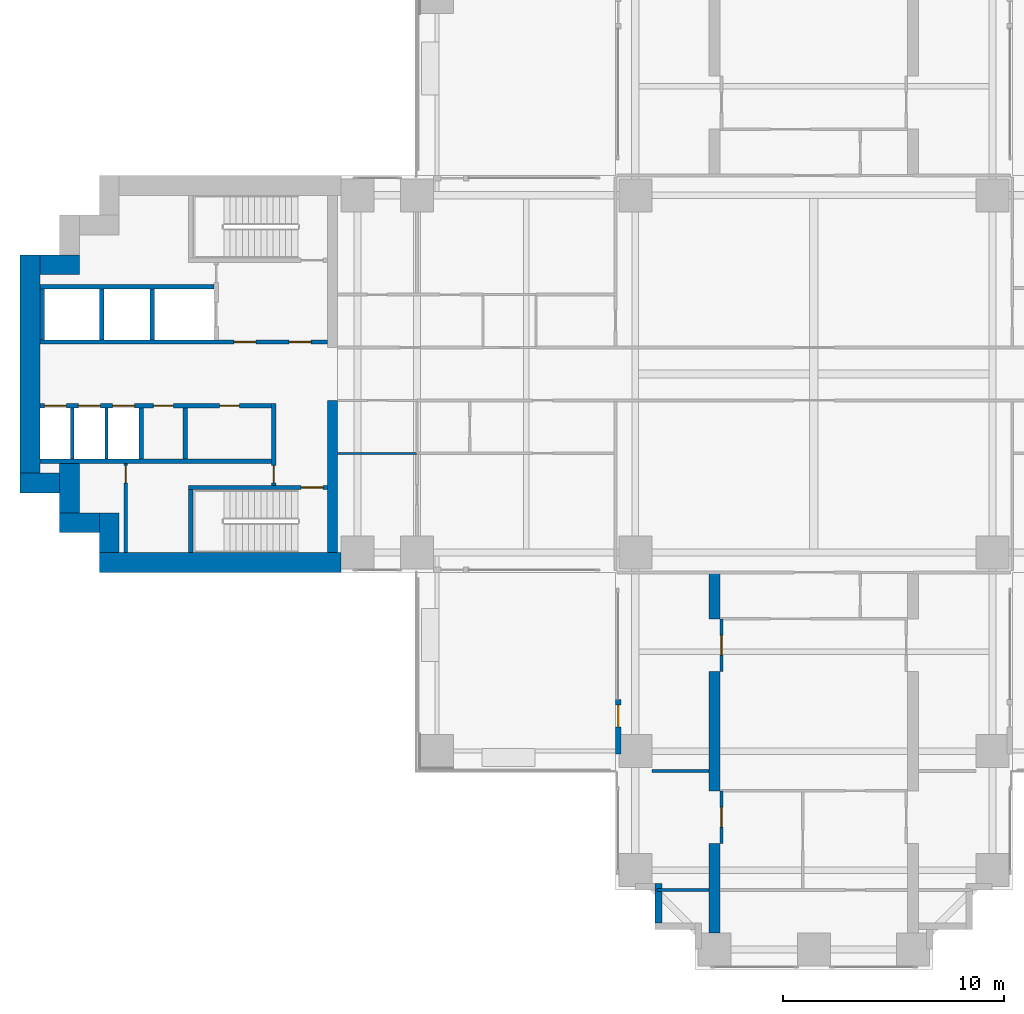
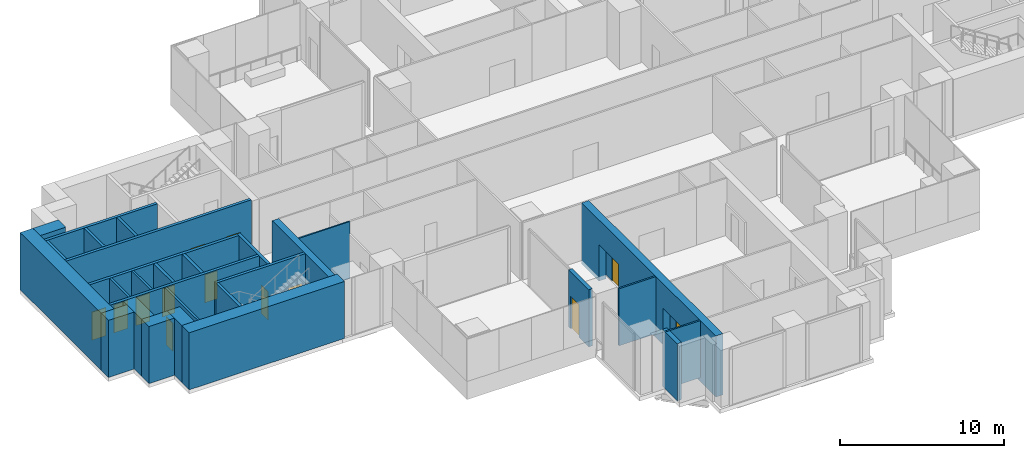
# One storey, part 7 of 15: 31 walls, 13 doors, 13 openings.
"""IFC4 building model written with IfcOpenShell, lengths in metres."""

from ifc_helpers import new_model, si_unit, direction, frame, frame_2d, origin, place, context, subcontext, project, spatial, polyline, rectangle, outline, extrude, material, layer, layer_set, material_profile, profile_set, type_object, element, fill, save


model = new_model("IFC4")

# Units and contexts
model_context = context("Model", 3, precision=1e-05, world=origin(), true_north=direction((0.0, 1.0)))
body_context = subcontext(model_context, "Body", "Model", "MODEL_VIEW")
ifc_project = project(units=[si_unit("LENGTHUNIT", "METRE"), si_unit("AREAUNIT", "SQUARE_METRE"), si_unit("VOLUMEUNIT", "CUBIC_METRE"), si_unit("PLANEANGLEUNIT", "RADIAN"), si_unit("MASSUNIT", "GRAM", prefix="KILO")], contexts=[model_context])

# Site, building, storey
site_placement = place(None, origin())
site = spatial("IfcSite", under=ifc_project, at=site_placement, CompositionType="ELEMENT")
building_placement = place(site_placement, origin())
building = spatial("IfcBuilding", under=site, at=building_placement, Name="Perihelion Cross Residences", CompositionType="ELEMENT")
storey_placement = place(building_placement, frame((0.0, 0.0, 32.0)))
storey = spatial("IfcBuildingStorey", under=building, at=storey_placement, Name="L04", CompositionType="ELEMENT", Elevation=32.0)

# Wall, opening, door
ifc_material_1 = material(Name="Concrete C30/37, bronze-clad", Category="concrete")
ifc_layer_1 = layer(ifc_material_1, 0.25)
ifc_layer_set_1 = layer_set([ifc_layer_1], Name="Bronze-clad pier wall 250")
wall_type_1 = type_object("IfcWallType", Name="Bronze-clad pier wall 250", PredefinedType="SOLIDWALL", material=ifc_layer_set_1)
wall_1_placement = place(storey_placement, frame((-8.875, -14.75, 0.0), z_axis=(0.0, 0.0, 1.0), x_axis=(0.0, -1.0, 0.0)))
wall_1 = element("IfcWall", 1, at=wall_1_placement, inside=storey, type_object=wall_type_1, Name="Wall FW1 L04 south side west bay 1 pier", PredefinedType="SOLIDWALL", context=body_context, shape_type="SweptSolid", body=[
    extrude(rectangle(XDim=2.47998046875, YDim=0.25, at=frame_2d((1.239990234375, 0.0))), origin(), (0.0, 0.0, 1.0), 4.25),
])
opening_1_placement = place(wall_1_placement, frame((0.25, 0.0, 0.0)))
opening_1 = element("IfcOpeningElement", 2, at=opening_1_placement, cuts=wall_1, Name="Opening L04.E06", PredefinedType="OPENING", context=body_context, shape_type="SweptSolid", body=[
    extrude(rectangle(XDim=1.0, YDim=2.39990234375, at=frame_2d((0.5, 1.199951171875))), frame((0.0, 0.135009765625, 0.0), z_axis=(0.0, -1.0, 0.0), x_axis=(1.0, 0.0, 0.0)), (0.0, 0.0, 1.0), 0.27001953125),
])
ifc_material_2 = material(Name="Bronze anodised aluminium, glazed", Category="aluminium")
door_type_1 = type_object("IfcDoorType", Name="Balcony door 1000 x 2400", OperationType="NOTDEFINED", PredefinedType="DOOR", material=ifc_material_2)
door_1_placement = place(opening_1_placement, origin())
door_1 = element("IfcDoor", 3, at=door_1_placement, inside=storey, type_object=door_type_1, Name="Door L04.E06 south side west bay 1", OperationType="SINGLE_SWING_LEFT", OverallHeight=2.39990234375, OverallWidth=1.0, PredefinedType="DOOR", context=body_context, shape_type="SweptSolid", body=[
    extrude(rectangle(XDim=1.0, YDim=2.39990234375, at=frame_2d((0.5, 1.199951171875))), frame((0.0, 0.02490234375, 0.0), z_axis=(0.0, -1.0, 0.0), x_axis=(1.0, 0.0, 0.0)), (0.0, 0.0, 1.0), 0.050048828125),
])
fill(opening_1, door_1)

# Walls
ifc_material_3 = material(Name="Concrete C30/37, bronze-clad", Category="concrete")
ifc_layer_2 = layer(ifc_material_3, 0.300048828125)
ifc_layer_set_2 = layer_set([ifc_layer_2], Name="Bronze-clad serration wall 300")
wall_type_2 = type_object("IfcWallType", Name="Bronze-clad serration wall 300", PredefinedType="SOLIDWALL", material=ifc_layer_set_2)
wall_2_placement = place(storey_placement, frame((-7.050048828125, -23.10009765625, 0.0), z_axis=(0.0, 0.0, 1.0), x_axis=(0.0, -1.0, 0.0)))
element("IfcWall", 4, at=wall_2_placement, inside=storey, type_object=wall_type_2, Name="Wall SR1 L04 south corner south-west 2", PredefinedType="SOLIDWALL", context=body_context, shape_type="SweptSolid", body=[
    extrude(rectangle(XDim=1.7998046875, YDim=0.300048828125, at=frame_2d((0.89990234375, 0.0))), origin(), (0.0, 0.0, 1.0), 4.25),
])
ifc_material_4 = material(Name="Concrete C60/75", Category="concrete")
ifc_layer_3 = layer(ifc_material_4, 0.449951171875)
ifc_layer_set_3 = layer_set([ifc_layer_3], Name="Core wall, inner 450")
wall_type_3 = type_object("IfcWallType", Name="Core wall, inner 450", PredefinedType="SHEAR", material=ifc_layer_set_3)
wall_3_placement = place(storey_placement, frame((-21.824951171875, -8.10009765625, 0.0), z_axis=(0.0, 0.0, 1.0), x_axis=(0.0, 1.0, 0.0)))
element("IfcWall", 5, at=wall_3_placement, inside=storey, type_object=wall_type_3, Name="West core core wall, inner", PredefinedType="SHEAR", context=body_context, shape_type="SweptSolid", body=[
    extrude(rectangle(XDim=6.900146484375, YDim=0.449951171875, at=frame_2d((3.4501953125, 0.0))), origin(), (0.0, 0.0, 1.0), 4.25),
])
ifc_material_5 = material(Name="Concrete C60/75", Category="concrete")
ifc_layer_4 = layer(ifc_material_5, 0.89990234375)
ifc_layer_set_4 = layer_set([ifc_layer_4], Name="Core wall, outer 900")
wall_type_4 = type_object("IfcWallType", Name="Core wall, outer 900", PredefinedType="SHEAR", material=ifc_layer_set_4)
wall_4_placement = place(storey_placement, frame((-32.39990234375, -8.550048828125, 0.0), z_axis=(0.0, 0.0, 1.0), x_axis=(1.0, 0.0, 0.0)))
element("IfcWall", 6, at=wall_4_placement, inside=storey, type_object=wall_type_4, Name="West core core wall, outer", PredefinedType="SHEAR", context=body_context, shape_type="SweptSolid", body=[
    extrude(rectangle(XDim=10.949951171875, YDim=0.89990234375, at=frame_2d((5.47509765625, 0.0))), origin(), (0.0, 0.0, 1.0), 4.25),
])
for number, where, z_axis, x_axis, name in (
    (7, (-31.949951171875, -8.10009765625, 0.0), (0.0, 0.0, 1.0), (0.0, 1.0, 0.0), "West core core wall, outer"),
    (8, (-34.199951171875, -6.75, 0.0), (0.0, 0.0, 1.0), (1.0, 0.0, 0.0), "West core core wall, outer"),
):
    element("IfcWall", number, at=place(storey_placement, frame(where, z_axis=z_axis, x_axis=x_axis)), inside=storey, type_object=wall_type_4, Name=name, PredefinedType="SHEAR", context=body_context, shape_type="SweptSolid", body=[
        extrude(rectangle(XDim=1.800048828125, YDim=0.89990234375, at=frame_2d((0.89990234375, 0.0))), origin(), (0.0, 0.0, 1.0), 4.25),
    ])
wall_5_placement = place(storey_placement, frame((-33.75, -6.300048828125, 0.0), z_axis=(0.0, 0.0, 1.0), x_axis=(0.0, 1.0, 0.0)))
element("IfcWall", 9, at=wall_5_placement, inside=storey, type_object=wall_type_4, Name="West core core wall, outer", PredefinedType="SHEAR", context=body_context, shape_type="SweptSolid", body=[
    extrude(rectangle(XDim=2.25, YDim=0.89990234375, at=frame_2d((1.125, 0.0))), origin(), (0.0, 0.0, 1.0), 4.25),
])
wall_6_placement = place(storey_placement, frame((-36.0, -4.949951171875, 0.0), z_axis=(0.0, 0.0, 1.0), x_axis=(1.0, 0.0, 0.0)))
element("IfcWall", 10, at=wall_6_placement, inside=storey, type_object=wall_type_4, Name="West core core wall, outer", PredefinedType="SHEAR", context=body_context, shape_type="SweptSolid", body=[
    extrude(rectangle(XDim=1.800048828125, YDim=0.89990234375, at=frame_2d((0.89990234375, 0.0))), origin(), (0.0, 0.0, 1.0), 4.25),
])
wall_7_placement = place(storey_placement, frame((-35.550048828125, -4.5, 0.0), z_axis=(0.0, 0.0, 1.0), x_axis=(0.0, 1.0, 0.0)))
element("IfcWall", 11, at=wall_7_placement, inside=storey, type_object=wall_type_4, Name="West core core wall, outer", PredefinedType="SHEAR", context=body_context, shape_type="SweptSolid", body=[
    extrude(rectangle(XDim=9.89990234375, YDim=0.89990234375, at=frame_2d((4.949951171875, 0.0))), origin(), (0.0, 0.0, 1.0), 4.25),
])
wall_8_placement = place(storey_placement, frame((-35.10009765625, 4.949951171875, 0.0), z_axis=(0.0, 0.0, 1.0), x_axis=(1.0, 0.0, 0.0)))
element("IfcWall", 12, at=wall_8_placement, inside=storey, type_object=wall_type_4, Name="West core core wall, outer", PredefinedType="SHEAR", context=body_context, shape_type="SweptSolid", body=[
    extrude(rectangle(XDim=1.800048828125, YDim=0.89990234375, at=frame_2d((0.89990234375, 0.0))), origin(), (0.0, 0.0, 1.0), 4.25),
])

# Wall, opening, door
ifc_material_6 = material(Name="Plasterboard partition")
ifc_layer_5 = layer(ifc_material_6, 0.1201171875)
ifc_layer_set_5 = layer_set([ifc_layer_5], Name="Infill panel 120")
wall_type_5 = type_object("IfcWallType", Name="Infill panel 120", PredefinedType="PARTITIONING", material=ifc_layer_set_5)
wall_9_placement = place(storey_placement, frame((-4.18994140625, -11.10009765625, 0.0), z_axis=(0.0, 0.0, 1.0), x_axis=(0.0, -1.0, 0.0)))
wall_9 = element("IfcWall", 13, at=wall_9_placement, inside=storey, type_object=wall_type_5, Name="Partition L04 WI07", PredefinedType="PARTITIONING", context=body_context, shape_type="SweptSolid", body=[
    extrude(rectangle(XDim=2.39990234375, YDim=0.1201171875, at=frame_2d((1.199951171875, 0.0))), origin(), (0.0, 0.0, 1.0), 2.39990234375),
])
opening_2_placement = place(wall_9_placement, frame((0.75, 0.0, 0.0)))
opening_2 = element("IfcOpeningElement", 14, at=opening_2_placement, cuts=wall_9, Name="Opening L04.A39", PredefinedType="OPENING", context=body_context, shape_type="SweptSolid", body=[
    extrude(rectangle(XDim=0.89990234375, YDim=2.10009765625, at=frame_2d((0.449951171875, 1.050048828125))), frame((0.0, 0.070068359375, 0.0), z_axis=(0.0, -1.0, 0.0), x_axis=(1.0, 0.0, 0.0)), (0.0, 0.0, 1.0), 0.14013671875),
])
ifc_material_7 = material(Name="Timber door leaf", Category="wood")
door_type_2 = type_object("IfcDoorType", Name="Interior room door 900 x 2100", OperationType="SINGLE_SWING_LEFT", PredefinedType="DOOR", material=ifc_material_7)
door_2_placement = place(opening_2_placement, origin())
door_2 = element("IfcDoor", 15, at=door_2_placement, inside=storey, type_object=door_type_2, Name="Door L04.A39", OperationType="SINGLE_SWING_LEFT", OverallHeight=2.10009765625, OverallWidth=0.89990234375, PredefinedType="DOOR", context=body_context, shape_type="SweptSolid", body=[
    extrude(rectangle(XDim=0.89990234375, YDim=2.10009765625, at=frame_2d((0.449951171875, 1.050048828125))), frame((0.0, 0.02490234375, 0.0), z_axis=(0.0, -1.0, 0.0), x_axis=(1.0, 0.0, 0.0)), (0.0, 0.0, 1.0), 0.050048828125),
])
fill(opening_2, door_2)

wall_10_placement = place(storey_placement, frame((-4.18994140625, -18.89990234375, 0.0), z_axis=(0.0, 0.0, 1.0), x_axis=(0.0, -1.0, 0.0)))
wall_10 = element("IfcWall", 16, at=wall_10_placement, inside=storey, type_object=wall_type_5, Name="Partition L04 WI08", PredefinedType="PARTITIONING", context=body_context, shape_type="SweptSolid", body=[
    extrude(rectangle(XDim=2.400146484375, YDim=0.1201171875, at=frame_2d((1.2001953125, 0.0))), origin(), (0.0, 0.0, 1.0), 2.39990234375),
])
opening_3_placement = place(wall_10_placement, frame((0.75, 0.0, 0.0)))
opening_3 = element("IfcOpeningElement", 17, at=opening_3_placement, cuts=wall_10, Name="Opening L04.A40", PredefinedType="OPENING", context=body_context, shape_type="SweptSolid", body=[
    extrude(rectangle(XDim=0.89990234375, YDim=2.10009765625, at=frame_2d((0.449951171875, 1.050048828125))), frame((0.0, 0.070068359375, 0.0), z_axis=(0.0, -1.0, 0.0), x_axis=(1.0, 0.0, 0.0)), (0.0, 0.0, 1.0), 0.14013671875),
])
door_3_placement = place(opening_3_placement, origin())
door_3 = element("IfcDoor", 18, at=door_3_placement, inside=storey, type_object=door_type_2, Name="Door L04.A40", OperationType="SINGLE_SWING_RIGHT", OverallHeight=2.10009765625, OverallWidth=0.89990234375, PredefinedType="DOOR", context=body_context, shape_type="SweptSolid", body=[
    extrude(rectangle(XDim=0.89990234375, YDim=2.10009765625, at=frame_2d((0.449951171875, 1.050048828125))), frame((0.0, 0.02490234375, 0.0), z_axis=(0.0, -1.0, 0.0), x_axis=(1.0, 0.0, 0.0)), (0.0, 0.0, 1.0), 0.050048828125),
])
fill(opening_3, door_3)

ifc_material_8 = material(Name="Concrete C50/60", Category="concrete")
ifc_layer_6 = layer(ifc_material_8, 0.199951171875)
ifc_layer_set_6 = layer_set([ifc_layer_6], Name="Lobby wall 200")
wall_type_6 = type_object("IfcWallType", Name="Lobby wall 200", PredefinedType="SOLIDWALL", material=ifc_layer_set_6)
wall_11_placement = place(storey_placement, frame((-24.5, -5.050048828125, 0.0), z_axis=(0.0, 0.0, 1.0), x_axis=(0.0, 1.0, 0.0)))
wall_11 = element("IfcWall", 19, at=wall_11_placement, inside=storey, type_object=wall_type_6, Name="West core lobby wall", PredefinedType="SOLIDWALL", context=body_context, shape_type="SweptSolid", body=[
    extrude(rectangle(XDim=3.699951171875, YDim=0.199951171875, at=frame_2d((1.85009765625, 0.0))), origin(), (0.0, 0.0, 1.0), 4.25),
])
opening_4_placement = place(wall_11_placement, frame((0.10009765625, 0.0, 0.0)))
opening_4 = element("IfcOpeningElement", 20, at=opening_4_placement, cuts=wall_11, Name="Opening L04.C21", PredefinedType="OPENING", context=body_context, shape_type="SweptSolid", body=[
    extrude(rectangle(XDim=0.800048828125, YDim=2.10009765625, at=frame_2d((0.39990234375, 1.050048828125))), frame((0.0, 0.10986328125, 0.0), z_axis=(0.0, -1.0, 0.0), x_axis=(1.0, 0.0, 0.0)), (0.0, 0.0, 1.0), 0.219970703125),
])
ifc_material_9 = material(Name="Steel, powder coated", Category="steel")
door_type_3 = type_object("IfcDoorType", Name="Riser door 800", OperationType="SINGLE_SWING_LEFT", PredefinedType="DOOR", material=ifc_material_9)
door_4_placement = place(opening_4_placement, origin())
door_4 = element("IfcDoor", 21, at=door_4_placement, inside=storey, type_object=door_type_3, Name="West core riser door", OperationType="SINGLE_SWING_LEFT", OverallHeight=2.10009765625, OverallWidth=0.800048828125, PredefinedType="DOOR", context=body_context, shape_type="SweptSolid", body=[
    extrude(rectangle(XDim=0.800048828125, YDim=2.10009765625, at=frame_2d((0.39990234375, 1.050048828125))), frame((0.0, 0.02490234375, 0.0), z_axis=(0.0, -1.0, 0.0), x_axis=(1.0, 0.0, 0.0)), (0.0, 0.0, 1.0), 0.050048828125),
])
fill(opening_4, door_4)

# Walls
ifc_material_10 = material(Name="Plasterboard partition")
ifc_layer_7 = layer(ifc_material_10, 0.1201171875)
ifc_layer_set_7 = layer_set([ifc_layer_7], Name="Partition wall 120")
wall_type_7 = type_object("IfcWallType", Name="Partition wall 120", PredefinedType="PARTITIONING", material=ifc_layer_set_7)
wall_12_placement = place(storey_placement, frame((-4.75, -18.0, 0.0), z_axis=(0.0, 0.0, 1.0), x_axis=(-1.0, 0.0, 0.0)))
element("IfcWall", 22, at=wall_12_placement, inside=storey, type_object=wall_type_7, Name="Partition L04 W055", PredefinedType="PARTITIONING", context=body_context, shape_type="SweptSolid", body=[
    extrude(rectangle(XDim=2.60009765625, YDim=0.1201171875, at=frame_2d((1.300048828125, 0.0))), origin(), (0.0, 0.0, 1.0), 4.25),
])
wall_13_placement = place(storey_placement, frame((-4.75, -23.39990234375, 0.0), z_axis=(0.0, 0.0, 1.0), x_axis=(-1.0, 0.0, 0.0)))
element("IfcWall", 23, at=wall_13_placement, inside=storey, type_object=wall_type_7, Name="Partition L04 W056", PredefinedType="PARTITIONING", context=body_context, shape_type="SweptSolid", body=[
    extrude(rectangle(XDim=2.3701171875, YDim=0.1201171875, at=frame_2d((1.18505859375, 0.0))), origin(), (0.0, 0.0, 1.0), 4.25),
])

# Wall, opening, door
ifc_material_11 = material(Name="Fire-rated board on steel stud", Category="steel")
ifc_layer_8 = layer(ifc_material_11, 0.14990234375)
ifc_layer_set_8 = layer_set([ifc_layer_8], Name="Riser wall 150")
wall_type_8 = type_object("IfcWallType", Name="Riser wall 150", PredefinedType="PARTITIONING", material=ifc_layer_set_8)
wall_14_placement = place(storey_placement, frame((-31.199951171875, -8.10009765625, 0.0), z_axis=(0.0, 0.0, 1.0), x_axis=(0.0, 1.0, 0.0)))
wall_14 = element("IfcWall", 24, at=wall_14_placement, inside=storey, type_object=wall_type_8, Name="West core riser wall", PredefinedType="PARTITIONING", context=body_context, shape_type="SweptSolid", body=[
    extrude(rectangle(XDim=4.050048828125, YDim=0.14990234375, at=frame_2d((2.02490234375, 0.0))), origin(), (0.0, 0.0, 1.0), 4.25),
])
opening_5_placement = place(wall_14_placement, frame((3.14990234375, 0.0, 0.0)))
opening_5 = element("IfcOpeningElement", 25, at=opening_5_placement, cuts=wall_14, Name="Opening L04.C26", PredefinedType="OPENING", context=body_context, shape_type="SweptSolid", body=[
    extrude(rectangle(XDim=0.800048828125, YDim=2.10009765625, at=frame_2d((0.39990234375, 1.050048828125))), frame((0.0, 0.0849609375, 0.0), z_axis=(0.0, -1.0, 0.0), x_axis=(1.0, 0.0, 0.0)), (0.0, 0.0, 1.0), 0.169921875),
])
door_5_placement = place(opening_5_placement, origin())
door_5 = element("IfcDoor", 26, at=door_5_placement, inside=storey, type_object=door_type_3, Name="West core riser door", OperationType="SINGLE_SWING_LEFT", OverallHeight=2.10009765625, OverallWidth=0.800048828125, PredefinedType="DOOR", context=body_context, shape_type="SweptSolid", body=[
    extrude(rectangle(XDim=0.800048828125, YDim=2.10009765625, at=frame_2d((0.39990234375, 1.050048828125))), frame((0.0, 0.02490234375, 0.0), z_axis=(0.0, -1.0, 0.0), x_axis=(1.0, 0.0, 0.0)), (0.0, 0.0, 1.0), 0.050048828125),
])
fill(opening_5, door_5)

# Walls
ifc_material_12 = material(Name="Fire-rated board on steel stud", Category="steel")
ifc_layer_9 = layer(ifc_material_12, 0.199951171875)
ifc_layer_set_9 = layer_set([ifc_layer_9], Name="Riser wall 200")
wall_type_9 = type_object("IfcWallType", Name="Riser wall 200", PredefinedType="PARTITIONING", material=ifc_layer_set_9)
wall_15_placement = place(storey_placement, frame((-28.5, -3.85009765625, 0.0), z_axis=(0.0, 0.0, 1.0), x_axis=(0.0, 1.0, 0.0)))
element("IfcWall", 27, at=wall_15_placement, inside=storey, type_object=wall_type_9, Name="West core riser wall", PredefinedType="PARTITIONING", context=body_context, shape_type="SweptSolid", body=[
    extrude(rectangle(XDim=2.300048828125, YDim=0.199951171875, at=frame_2d((1.14990234375, 0.0))), origin(), (0.0, 0.0, 1.0), 4.25),
])
ifc_material_13 = material(Name="Concrete C50/60", Category="concrete")
ifc_layer_10 = layer(ifc_material_13, 0.14990234375)
ifc_layer_set_10 = layer_set([ifc_layer_10], Name="Shaft wall 150")
wall_type_10 = type_object("IfcWallType", Name="Shaft wall 150", PredefinedType="SOLIDWALL", material=ifc_layer_set_10)
for number, where, z_axis, x_axis, name in (
    (28, (-32.074951171875, -3.85009765625, 0.0), (0.0, 0.0, 1.0), (0.0, 1.0, 0.0), "West core shaft wall"),
    (29, (-33.625, -3.85009765625, 0.0), (0.0, 0.0, 1.0), (0.0, 1.0, 0.0), "West core shaft wall"),
):
    element("IfcWall", number, at=place(storey_placement, frame(where, z_axis=z_axis, x_axis=x_axis)), inside=storey, type_object=wall_type_10, Name=name, PredefinedType="SOLIDWALL", context=body_context, shape_type="SweptSolid", body=[
        extrude(rectangle(XDim=2.300048828125, YDim=0.14990234375, at=frame_2d((1.14990234375, 0.0))), origin(), (0.0, 0.0, 1.0), 4.25),
    ])

# Wall, openings, doors
ifc_material_14 = material(Name="Concrete C50/60", Category="concrete")
ifc_layer_11 = layer(ifc_material_14, 0.199951171875)
ifc_layer_set_11 = layer_set([ifc_layer_11], Name="Shaft wall 200")
wall_type_11 = type_object("IfcWallType", Name="Shaft wall 200", PredefinedType="SOLIDWALL", material=ifc_layer_set_11)
wall_16_placement = place(storey_placement, frame((-35.10009765625, 1.449951171875, 0.0), z_axis=(0.0, 0.0, 1.0), x_axis=(1.0, 0.0, 0.0)))
wall_16 = element("IfcWall", 30, at=wall_16_placement, inside=storey, type_object=wall_type_11, Name="West core shaft wall", PredefinedType="SOLIDWALL", context=body_context, shape_type="SweptSolid", body=[
    extrude(rectangle(XDim=13.050048828125, YDim=0.199951171875, at=frame_2d((6.52490234375, 0.0))), origin(), (0.0, 0.0, 1.0), 4.25),
])
opening_6_placement = place(wall_16_placement, frame((11.300048828125, 0.0, 0.0)))
opening_6 = element("IfcOpeningElement", 31, at=opening_6_placement, cuts=wall_16, Name="Opening L04.C20", PredefinedType="OPENING", context=body_context, shape_type="SweptSolid", body=[
    extrude(rectangle(XDim=1.0, YDim=2.10009765625, at=frame_2d((0.5, 1.050048828125))), frame((0.0, 0.10986328125, 0.0), z_axis=(0.0, -1.0, 0.0), x_axis=(1.0, 0.0, 0.0)), (0.0, 0.0, 1.0), 0.219970703125),
])
opening_7_placement = place(wall_16_placement, frame((8.800048828125, 0.0, 0.0)))
opening_7 = element("IfcOpeningElement", 32, at=opening_7_placement, cuts=wall_16, Name="Opening L04.C22", PredefinedType="OPENING", context=body_context, shape_type="SweptSolid", body=[
    extrude(rectangle(XDim=1.0, YDim=2.10009765625, at=frame_2d((0.5, 1.050048828125))), frame((0.0, 0.10986328125, 0.0), z_axis=(0.0, -1.0, 0.0), x_axis=(1.0, 0.0, 0.0)), (0.0, 0.0, 1.0), 0.219970703125),
])
ifc_material_15 = material(Name="Steel, powder coated", Category="steel")
door_type_4 = type_object("IfcDoorType", Name="Lobby door 1000", OperationType="SINGLE_SWING_LEFT", PredefinedType="DOOR", material=ifc_material_15)
door_6_placement = place(opening_6_placement, origin())
door_6 = element("IfcDoor", 33, at=door_6_placement, inside=storey, type_object=door_type_4, Name="West core firefighting lobby door", OperationType="SINGLE_SWING_LEFT", OverallHeight=2.10009765625, OverallWidth=1.0, PredefinedType="DOOR", context=body_context, shape_type="SweptSolid", body=[
    extrude(rectangle(XDim=1.0, YDim=2.10009765625, at=frame_2d((0.5, 1.050048828125))), frame((0.0, 0.02490234375, 0.0), z_axis=(0.0, -1.0, 0.0), x_axis=(1.0, 0.0, 0.0)), (0.0, 0.0, 1.0), 0.050048828125),
])
fill(opening_6, door_6)
door_7_placement = place(opening_7_placement, origin())
door_7 = element("IfcDoor", 34, at=door_7_placement, inside=storey, type_object=door_type_4, Name="West core firefighting lobby door", OperationType="SINGLE_SWING_LEFT", OverallHeight=2.10009765625, OverallWidth=1.0, PredefinedType="DOOR", context=body_context, shape_type="SweptSolid", body=[
    extrude(rectangle(XDim=1.0, YDim=2.10009765625, at=frame_2d((0.5, 1.050048828125))), frame((0.0, 0.02490234375, 0.0), z_axis=(0.0, -1.0, 0.0), x_axis=(1.0, 0.0, 0.0)), (0.0, 0.0, 1.0), 0.050048828125),
])
fill(opening_7, door_7)

wall_17_placement = place(storey_placement, frame((-35.10009765625, -1.449951171875, 0.0), z_axis=(0.0, 0.0, 1.0), x_axis=(1.0, 0.0, 0.0)))
wall_17 = element("IfcWall", 35, at=wall_17_placement, inside=storey, type_object=wall_type_11, Name="West core shaft wall", PredefinedType="SOLIDWALL", context=body_context, shape_type="SweptSolid", body=[
    extrude(rectangle(XDim=10.5, YDim=0.199951171875, at=frame_2d((5.25, 0.0))), origin(), (0.0, 0.0, 1.0), 4.25),
])
opening_8_placement = place(wall_17_placement, frame((3.300048828125, 0.0, 0.0)))
opening_8 = element("IfcOpeningElement", 36, at=opening_8_placement, cuts=wall_17, Name="Opening L04.C15", PredefinedType="OPENING", context=body_context, shape_type="SweptSolid", body=[
    extrude(rectangle(XDim=1.0, YDim=2.10009765625, at=frame_2d((0.5, 1.050048828125))), frame((0.0, 0.10986328125, 0.0), z_axis=(0.0, -1.0, 0.0), x_axis=(1.0, 0.0, 0.0)), (0.0, 0.0, 1.0), 0.219970703125),
])
opening_9_placement = place(wall_17_placement, frame((1.75, 0.0, 0.0)))
opening_9 = element("IfcOpeningElement", 37, at=opening_9_placement, cuts=wall_17, Name="Opening L04.C16", PredefinedType="OPENING", context=body_context, shape_type="SweptSolid", body=[
    extrude(rectangle(XDim=1.0, YDim=2.10009765625, at=frame_2d((0.5, 1.050048828125))), frame((0.0, 0.10986328125, 0.0), z_axis=(0.0, -1.0, 0.0), x_axis=(1.0, 0.0, 0.0)), (0.0, 0.0, 1.0), 0.219970703125),
])
opening_10_placement = place(wall_17_placement, frame((0.199951171875, 0.0, 0.0)))
opening_10 = element("IfcOpeningElement", 38, at=opening_10_placement, cuts=wall_17, Name="Opening L04.C17", PredefinedType="OPENING", context=body_context, shape_type="SweptSolid", body=[
    extrude(rectangle(XDim=1.0, YDim=2.10009765625, at=frame_2d((0.5, 1.050048828125))), frame((0.0, 0.10986328125, 0.0), z_axis=(0.0, -1.0, 0.0), x_axis=(1.0, 0.0, 0.0)), (0.0, 0.0, 1.0), 0.219970703125),
])
opening_11_placement = place(wall_17_placement, frame((8.14990234375, 0.0, 0.0)))
opening_11 = element("IfcOpeningElement", 39, at=opening_11_placement, cuts=wall_17, Name="Opening L04.C23", PredefinedType="OPENING", context=body_context, shape_type="SweptSolid", body=[
    extrude(rectangle(XDim=0.89990234375, YDim=2.10009765625, at=frame_2d((0.449951171875, 1.050048828125))), frame((0.0, 0.10986328125, 0.0), z_axis=(0.0, -1.0, 0.0), x_axis=(1.0, 0.0, 0.0)), (0.0, 0.0, 1.0), 0.219970703125),
])
opening_12_placement = place(wall_17_placement, frame((5.14990234375, 0.0, 0.0)))
opening_12 = element("IfcOpeningElement", 40, at=opening_12_placement, cuts=wall_17, Name="Opening L04.C25", PredefinedType="OPENING", context=body_context, shape_type="SweptSolid", body=[
    extrude(rectangle(XDim=0.89990234375, YDim=2.10009765625, at=frame_2d((0.449951171875, 1.050048828125))), frame((0.0, 0.10986328125, 0.0), z_axis=(0.0, -1.0, 0.0), x_axis=(1.0, 0.0, 0.0)), (0.0, 0.0, 1.0), 0.219970703125),
])
ifc_material_16 = material(Name="Stainless steel", Category="steel")
door_type_5 = type_object("IfcDoorType", Name="Landing door 1000", OperationType="DOUBLE_DOOR_SLIDING", PredefinedType="DOOR", material=ifc_material_16)
door_8_placement = place(opening_8_placement, origin())
door_8 = element("IfcDoor", 41, at=door_8_placement, inside=storey, type_object=door_type_5, Name="Landing door, West core low-rise lift 1", OperationType="DOUBLE_DOOR_SLIDING", OverallHeight=2.10009765625, OverallWidth=1.0, PredefinedType="DOOR", context=body_context, shape_type="SweptSolid", body=[
    extrude(rectangle(XDim=1.0, YDim=2.10009765625, at=frame_2d((0.5, 1.050048828125))), frame((0.0, 0.02490234375, 0.0), z_axis=(0.0, -1.0, 0.0), x_axis=(1.0, 0.0, 0.0)), (0.0, 0.0, 1.0), 0.050048828125),
])
fill(opening_8, door_8)
door_9_placement = place(opening_9_placement, origin())
door_9 = element("IfcDoor", 42, at=door_9_placement, inside=storey, type_object=door_type_5, Name="Landing door, West core low-rise lift 2", OperationType="DOUBLE_DOOR_SLIDING", OverallHeight=2.10009765625, OverallWidth=1.0, PredefinedType="DOOR", context=body_context, shape_type="SweptSolid", body=[
    extrude(rectangle(XDim=1.0, YDim=2.10009765625, at=frame_2d((0.5, 1.050048828125))), frame((0.0, 0.02490234375, 0.0), z_axis=(0.0, -1.0, 0.0), x_axis=(1.0, 0.0, 0.0)), (0.0, 0.0, 1.0), 0.050048828125),
])
fill(opening_9, door_9)
door_10_placement = place(opening_10_placement, origin())
door_10 = element("IfcDoor", 43, at=door_10_placement, inside=storey, type_object=door_type_5, Name="Landing door, West core low-rise lift 3", OperationType="DOUBLE_DOOR_SLIDING", OverallHeight=2.10009765625, OverallWidth=1.0, PredefinedType="DOOR", context=body_context, shape_type="SweptSolid", body=[
    extrude(rectangle(XDim=1.0, YDim=2.10009765625, at=frame_2d((0.5, 1.050048828125))), frame((0.0, 0.02490234375, 0.0), z_axis=(0.0, -1.0, 0.0), x_axis=(1.0, 0.0, 0.0)), (0.0, 0.0, 1.0), 0.050048828125),
])
fill(opening_10, door_10)
ifc_material_17 = material(Name="Steel, powder coated", Category="steel")
door_type_6 = type_object("IfcDoorType", Name="Service room door 900", OperationType="SINGLE_SWING_LEFT", PredefinedType="DOOR", material=ifc_material_17)
door_11_placement = place(opening_11_placement, origin())
door_11 = element("IfcDoor", 44, at=door_11_placement, inside=storey, type_object=door_type_6, Name="West core service room door", OperationType="SINGLE_SWING_LEFT", OverallHeight=2.10009765625, OverallWidth=0.89990234375, PredefinedType="DOOR", context=body_context, shape_type="SweptSolid", body=[
    extrude(rectangle(XDim=0.89990234375, YDim=2.10009765625, at=frame_2d((0.449951171875, 1.050048828125))), frame((0.0, 0.02490234375, 0.0), z_axis=(0.0, -1.0, 0.0), x_axis=(1.0, 0.0, 0.0)), (0.0, 0.0, 1.0), 0.050048828125),
])
fill(opening_11, door_11)
door_12_placement = place(opening_12_placement, origin())
door_12 = element("IfcDoor", 45, at=door_12_placement, inside=storey, type_object=door_type_6, Name="West core service room door", OperationType="SINGLE_SWING_LEFT", OverallHeight=2.10009765625, OverallWidth=0.89990234375, PredefinedType="DOOR", context=body_context, shape_type="SweptSolid", body=[
    extrude(rectangle(XDim=0.89990234375, YDim=2.10009765625, at=frame_2d((0.449951171875, 1.050048828125))), frame((0.0, 0.02490234375, 0.0), z_axis=(0.0, -1.0, 0.0), x_axis=(1.0, 0.0, 0.0)), (0.0, 0.0, 1.0), 0.050048828125),
])
fill(opening_12, door_12)

# Walls
wall_18_placement = place(storey_placement, frame((-35.10009765625, 3.949951171875, 0.0), z_axis=(0.0, 0.0, 1.0), x_axis=(1.0, 0.0, 0.0)))
element("IfcWall", 46, at=wall_18_placement, inside=storey, type_object=wall_type_11, Name="West core shaft wall", PredefinedType="SOLIDWALL", context=body_context, shape_type="SweptSolid", body=[
    extrude(rectangle(XDim=7.900146484375, YDim=0.199951171875, at=frame_2d((3.9501953125, 0.0))), origin(), (0.0, 0.0, 1.0), 4.25),
])
wall_19_placement = place(storey_placement, frame((-35.10009765625, -3.949951171875, 0.0), z_axis=(0.0, 0.0, 1.0), x_axis=(1.0, 0.0, 0.0)))
element("IfcWall", 47, at=wall_19_placement, inside=storey, type_object=wall_type_11, Name="West core shaft wall", PredefinedType="SOLIDWALL", context=body_context, shape_type="SweptSolid", body=[
    extrude(rectangle(XDim=10.5, YDim=0.199951171875, at=frame_2d((5.25, 0.0))), origin(), (0.0, 0.0, 1.0), 4.25),
])
for number, where, z_axis, x_axis, name in (
    (48, (-30.0, 1.550048828125, 0.0), (0.0, 0.0, 1.0), (0.0, 1.0, 0.0), "West core shaft wall"),
    (49, (-32.300048828125, 1.550048828125, 0.0), (0.0, 0.0, 1.0), (0.0, 1.0, 0.0), "West core shaft wall"),
    (50, (-35.0, 1.550048828125, 0.0), (0.0, 0.0, 1.0), (0.0, 1.0, 0.0), "West core shaft wall"),
    (51, (-30.5, -3.85009765625, 0.0), (0.0, 0.0, 1.0), (0.0, 1.0, 0.0), "West core shaft wall"),
):
    element("IfcWall", number, at=place(storey_placement, frame(where, z_axis=z_axis, x_axis=x_axis)), inside=storey, type_object=wall_type_11, Name=name, PredefinedType="SOLIDWALL", context=body_context, shape_type="SweptSolid", body=[
        extrude(rectangle(XDim=2.300048828125, YDim=0.199951171875, at=frame_2d((1.14990234375, 0.0))), origin(), (0.0, 0.0, 1.0), 4.25),
    ])

# Wall, opening, door
ifc_material_18 = material(Name="Concrete C50/60", Category="concrete")
ifc_layer_12 = layer(ifc_material_18, 0.199951171875)
ifc_layer_set_12 = layer_set([ifc_layer_12], Name="Stair wall 200")
wall_type_12 = type_object("IfcWallType", Name="Stair wall 200", PredefinedType="SOLIDWALL", material=ifc_layer_set_12)
wall_20_placement = place(storey_placement, frame((-28.35009765625, -5.14990234375, 0.0), z_axis=(0.0, 0.0, 1.0), x_axis=(1.0, 0.0, 0.0)))
wall_20 = element("IfcWall", 52, at=wall_20_placement, inside=storey, type_object=wall_type_12, Name="West core stair wall", PredefinedType="SOLIDWALL", context=body_context, shape_type="SweptSolid", body=[
    extrude(rectangle(XDim=6.300048828125, YDim=0.199951171875, at=frame_2d((3.14990234375, 0.0))), origin(), (0.0, 0.0, 1.0), 4.25),
])
opening_13_placement = place(wall_20_placement, frame((5.10009765625, 0.0, 0.0)))
opening_13 = element("IfcOpeningElement", 53, at=opening_13_placement, cuts=wall_20, Name="Opening L04.C18", PredefinedType="OPENING", context=body_context, shape_type="SweptSolid", body=[
    extrude(rectangle(XDim=1.0, YDim=2.10009765625, at=frame_2d((0.5, 1.050048828125))), frame((0.0, 0.10986328125, 0.0), z_axis=(0.0, -1.0, 0.0), x_axis=(1.0, 0.0, 0.0)), (0.0, 0.0, 1.0), 0.219970703125),
])
ifc_material_19 = material(Name="Steel, powder coated", Category="steel")
door_type_7 = type_object("IfcDoorType", Name="Stair door 1000", OperationType="SINGLE_SWING_LEFT", PredefinedType="DOOR", material=ifc_material_19)
door_13_placement = place(opening_13_placement, origin())
door_13 = element("IfcDoor", 54, at=door_13_placement, inside=storey, type_object=door_type_7, Name="West core stair door", OperationType="SINGLE_SWING_LEFT", OverallHeight=2.10009765625, OverallWidth=1.0, PredefinedType="DOOR", context=body_context, shape_type="SweptSolid", body=[
    extrude(rectangle(XDim=1.0, YDim=2.10009765625, at=frame_2d((0.5, 1.050048828125))), frame((0.0, 0.02490234375, 0.0), z_axis=(0.0, -1.0, 0.0), x_axis=(1.0, 0.0, 0.0)), (0.0, 0.0, 1.0), 0.050048828125),
])
fill(opening_13, door_13)

# Walls
wall_21_placement = place(storey_placement, frame((-28.25, -8.10009765625, 0.0), z_axis=(0.0, 0.0, 1.0), x_axis=(0.0, 1.0, 0.0)))
element("IfcWall", 55, at=wall_21_placement, inside=storey, type_object=wall_type_12, Name="West core stair wall", PredefinedType="SOLIDWALL", context=body_context, shape_type="SweptSolid", body=[
    extrude(rectangle(XDim=2.85009765625, YDim=0.199951171875, at=frame_2d((1.425048828125, 0.0))), origin(), (0.0, 0.0, 1.0), 4.25),
])
ifc_material_20 = material(Name="Concrete C60/75", Category="concrete")
ifc_material_profile = material_profile(ifc_material_20, outline(polyline([(0.0, 0.0), (4.050048828125, 0.0), (4.050048828125, 2.699951171875), (6.449951171875, 2.699951171875), (6.449951171875, 0.0), (11.85009765625, 0.0), (11.85009765625, 2.699951171875), (14.25, 2.699951171875), (14.25, 0.0), (16.35009765625, 0.0), (16.35009765625, 4.550048828125), (0.0, 4.550048828125), (0.0, 0.0)])), Name="Tip spine wall")
ifc_profile_set = profile_set([ifc_material_profile], Name="Concrete C60/75")
wall_type_13 = type_object("IfcWallType", Name="Tip spine wall 500 with 2 door openings 16350 long 4550 high concrete C60/75", PredefinedType="SHEAR", material=ifc_profile_set)
wall_22_placement = place(storey_placement, frame((-4.75, -25.35009765625, -0.300048828125), z_axis=(1.0, 0.0, 0.0), x_axis=(0.0, 1.0, 0.0)))
element("IfcWall", 56, at=wall_22_placement, inside=storey, type_object=wall_type_13, Name="Shear wall SW19 L04 south west", PredefinedType="SHEAR", context=body_context, shape_type="SweptSolid", body=[
    extrude(outline(polyline([(0.0, 0.0), (4.050048828125, 0.0), (4.050048828125, 2.699951171875), (6.449951171875, 2.699951171875), (6.449951171875, 0.0), (11.85009765625, 0.0), (11.85009765625, 2.699951171875), (14.25, 2.699951171875), (14.25, 0.0), (16.35009765625, 0.0), (16.35009765625, 4.550048828125), (0.0, 4.550048828125), (0.0, 0.0)])), origin(), (0.0, 0.0, 1.0), 0.5),
])
ifc_material_21 = material(Name="Plasterboard partition")
ifc_layer_13 = layer(ifc_material_21, 0.10009765625)
ifc_layer_set_13 = layer_set([ifc_layer_13], Name="Wet room wall 100")
wall_type_14 = type_object("IfcWallType", Name="Wet room wall 100", PredefinedType="PARTITIONING", material=ifc_layer_set_13)
wall_23_placement = place(storey_placement, frame((-21.60009765625, -3.60009765625, 0.0), z_axis=(0.0, 0.0, 1.0), x_axis=(1.0, 0.0, 0.0)))
element("IfcWall", 57, at=wall_23_placement, inside=storey, type_object=wall_type_14, Name="Partition L04 W034", PredefinedType="PARTITIONING", context=body_context, shape_type="SweptSolid", body=[
    extrude(rectangle(XDim=3.60009765625, YDim=0.10009765625, at=frame_2d((1.800048828125, 0.0))), origin(), (0.0, 0.0, 1.0), 4.25),
])

save(model, "model.ifc")
